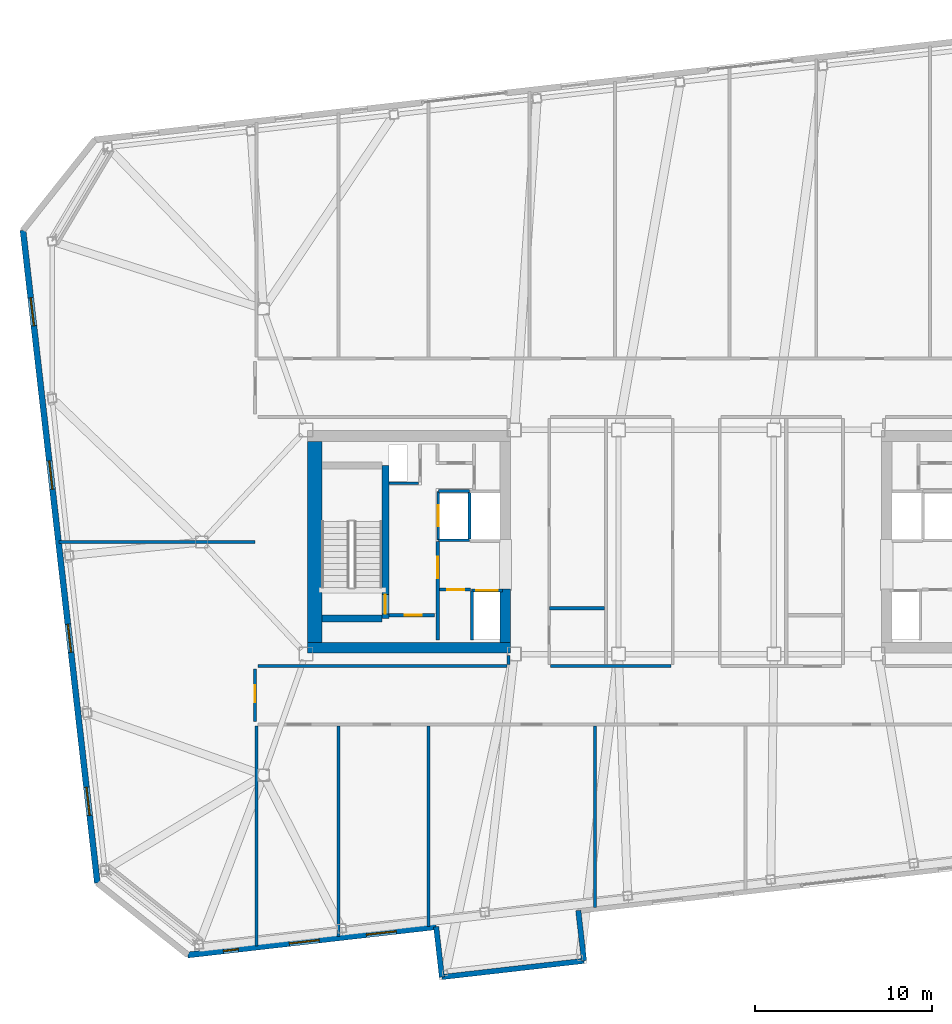
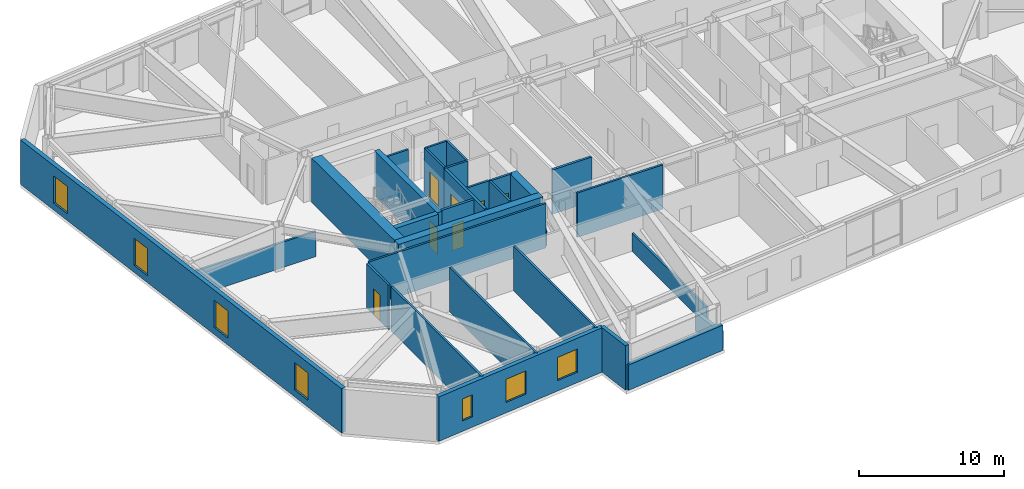
# One storey, part 11 of 18: 30 walls, 7 doors, 7 windows, 14 openings.
"""IFC4 building model written with IfcOpenShell, lengths in metres."""

from ifc_helpers import new_model, si_unit, direction, frame, frame_2d, origin, place, context, subcontext, project, spatial, rectangle, extrude, material, layer, layer_set, type_object, element, fill, save


model = new_model("IFC4")

# Units and contexts
model_context = context("Model", 3, precision=1e-05, world=origin(), true_north=direction((0.0, 1.0)))
body_context = subcontext(model_context, "Body", "Model", "MODEL_VIEW")
ifc_project = project(units=[si_unit("LENGTHUNIT", "METRE"), si_unit("AREAUNIT", "SQUARE_METRE"), si_unit("VOLUMEUNIT", "CUBIC_METRE"), si_unit("PLANEANGLEUNIT", "RADIAN"), si_unit("MASSUNIT", "GRAM", prefix="KILO")], contexts=[model_context])

# Site, building, storey
site_placement = place(None, origin())
site = spatial("IfcSite", under=ifc_project, at=site_placement, CompositionType="ELEMENT")
building_placement = place(site_placement, origin())
building = spatial("IfcBuilding", under=site, at=building_placement, Name="Tavrogorsk Clinical Tower", CompositionType="ELEMENT")
storey_placement = place(building_placement, frame((0.0, 0.0, 222.199951171875)))
storey = spatial("IfcBuildingStorey", under=building, at=storey_placement, Name="L51", CompositionType="ELEMENT", Elevation=222.199951171875)

# Wall, opening, door
ifc_material_1 = material(Name="Concrete B60", Category="concrete")
ifc_layer_1 = layer(ifc_material_1, 0.199951171875)
ifc_layer_set_1 = layer_set([ifc_layer_1], Name="Concrete B60")
wall_type_1 = type_object("IfcWallType", Name="CoreFireWall_200", PredefinedType="SOLIDWALL", material=ifc_layer_set_1)
wall_1_placement = place(storey_placement, frame((-17.3798828125, -4.139892578125, 0.0), z_axis=(0.0, 0.0, 1.0), x_axis=(1.0, 0.0, 0.0)))
wall_1 = element("IfcWall", 1, at=wall_1_placement, inside=storey, type_object=wall_type_1, Name="L51 Core West South Core Room Fire Wall", PredefinedType="SOLIDWALL", context=body_context, shape_type="SweptSolid", body=[
    extrude(rectangle(XDim=2.554931640625, YDim=0.199951171875, at=frame_2d((1.27734375, 0.0))), origin(), (0.0, 0.0, 1.0), 3.739990234375),
])
opening_1_placement = place(wall_1_placement, frame((0.8798828125, 0.0, 0.0)))
opening_1 = element("IfcOpeningElement", 2, at=opening_1_placement, cuts=wall_1, Name="Opening ID-02", PredefinedType="OPENING", context=body_context, shape_type="SweptSolid", body=[
    extrude(rectangle(XDim=0.949951171875, YDim=2.199951171875, at=frame_2d((0.47509765625, 1.10009765625))), frame((0.0, 0.10986328125, 0.0), z_axis=(0.0, -1.0, 0.0), x_axis=(1.0, 0.0, 0.0)), (0.0, 0.0, 1.0), 0.219970703125),
])
ifc_material_2 = material(Name="Laminated timber leaf on aluminium frame", Category="wood")
door_type_1 = type_object("IfcDoorType", Name="InteriorDoor_ID02_950", OperationType="NOTDEFINED", PredefinedType="DOOR", material=ifc_material_2)
door_1_placement = place(opening_1_placement, origin())
door_1 = element("IfcDoor", 3, at=door_1_placement, inside=storey, type_object=door_type_1, Name="L51 Core West South Core Room Door", OperationType="SINGLE_SWING_RIGHT", OverallHeight=2.199951171875, OverallWidth=0.949951171875, PredefinedType="DOOR", context=body_context, shape_type="SweptSolid", body=[
    extrude(rectangle(XDim=0.949951171875, YDim=2.199951171875, at=frame_2d((0.47509765625, 1.10009765625))), frame((0.0, 0.02490234375, 0.0), z_axis=(0.0, -1.0, 0.0), x_axis=(1.0, 0.0, 0.0)), (0.0, 0.0, 1.0), 0.050048828125),
])
fill(opening_1, door_1)

wall_2_placement = place(storey_placement, frame((-14.639892578125, -5.56005859375, 0.0), z_axis=(0.0, 0.0, 1.0), x_axis=(0.0, 1.0, 0.0)))
wall_2 = element("IfcWall", 4, at=wall_2_placement, inside=storey, type_object=wall_type_1, Name="L51 Core West Firefighting Lobby Fire Wall", PredefinedType="SOLIDWALL", context=body_context, shape_type="SweptSolid", body=[
    extrude(rectangle(XDim=5.60009765625, YDim=0.199951171875, at=frame_2d((2.800048828125, 0.0))), origin(), (0.0, 0.0, 1.0), 3.739990234375),
])
opening_2_placement = place(wall_2_placement, frame((3.510009765625, 0.0, 0.0)))
opening_2 = element("IfcOpeningElement", 5, at=opening_2_placement, cuts=wall_2, Name="Opening FD-01", PredefinedType="OPENING", context=body_context, shape_type="SweptSolid", body=[
    extrude(rectangle(XDim=1.199951171875, YDim=2.199951171875, at=frame_2d((0.60009765625, 1.10009765625))), frame((0.0, 0.10986328125, 0.0), z_axis=(0.0, -1.0, 0.0), x_axis=(1.0, 0.0, 0.0)), (0.0, 0.0, 1.0), 0.219970703125),
])
ifc_material_3 = material(Name="Galvanised steel fire-rated door assembly", Category="steel")
door_type_2 = type_object("IfcDoorType", Name="FireDoor_FD01_1200", OperationType="NOTDEFINED", PredefinedType="DOOR", material=ifc_material_3)
door_2_placement = place(opening_2_placement, origin())
door_2 = element("IfcDoor", 6, at=door_2_placement, inside=storey, type_object=door_type_2, Name="L51 Core West Firefighting Lobby Entry Door", OperationType="SINGLE_SWING_RIGHT", OverallHeight=2.199951171875, OverallWidth=1.199951171875, PredefinedType="DOOR", context=body_context, shape_type="SweptSolid", body=[
    extrude(rectangle(XDim=1.199951171875, YDim=2.199951171875, at=frame_2d((0.60009765625, 1.10009765625))), frame((0.0, 0.02490234375, 0.0), z_axis=(0.0, -1.0, 0.0), x_axis=(1.0, 0.0, 0.0)), (0.0, 0.0, 1.0), 0.050048828125),
])
fill(opening_2, door_2)

ifc_material_4 = material(Name="Lightweight concrete blockwork B15", Category="masonry")
ifc_layer_2 = layer(ifc_material_4, 0.159912109375)
ifc_layer_set_2 = layer_set([ifc_layer_2], Name="Lightweight concrete blockwork B15")
wall_type_2 = type_object("IfcWallType", Name="PartitionWall_160", PredefinedType="PARTITIONING", material=ifc_layer_set_2)
wall_3_placement = place(storey_placement, frame((-14.534912109375, -2.699951171875, 0.0), z_axis=(0.0, 0.0, 1.0), x_axis=(1.0, 0.0, 0.0)))
wall_3 = element("IfcWall", 7, at=wall_3_placement, inside=storey, type_object=wall_type_2, Name="L51 Core West Freed Low-Bank North Partition", PredefinedType="PARTITIONING", context=body_context, shape_type="SweptSolid", body=[
    extrude(rectangle(XDim=1.760009765625, YDim=0.159912109375, at=frame_2d((0.8798828125, 0.0))), origin(), (0.0, 0.0, 1.0), 3.739990234375),
])
opening_3_placement = place(wall_3_placement, frame((0.449951171875, 0.0, 0.0)))
opening_3 = element("IfcOpeningElement", 8, at=opening_3_placement, cuts=wall_3, Name="Opening ID-02", PredefinedType="OPENING", context=body_context, shape_type="SweptSolid", body=[
    extrude(rectangle(XDim=0.949951171875, YDim=2.199951171875, at=frame_2d((0.47509765625, 1.10009765625))), frame((0.0, 0.08984375, 0.0), z_axis=(0.0, -1.0, 0.0), x_axis=(1.0, 0.0, 0.0)), (0.0, 0.0, 1.0), 0.179931640625),
])
door_3_placement = place(opening_3_placement, origin())
door_3 = element("IfcDoor", 9, at=door_3_placement, inside=storey, type_object=door_type_1, Name="L51 Core West Biomedical Alcove Door", OperationType="SINGLE_SWING_LEFT", OverallHeight=2.199951171875, OverallWidth=0.949951171875, PredefinedType="DOOR", context=body_context, shape_type="SweptSolid", body=[
    extrude(rectangle(XDim=0.949951171875, YDim=2.199951171875, at=frame_2d((0.47509765625, 1.10009765625))), frame((0.0, 0.02490234375, 0.0), z_axis=(0.0, -1.0, 0.0), x_axis=(1.0, 0.0, 0.0)), (0.0, 0.0, 1.0), 0.050048828125),
])
fill(opening_3, door_3)

wall_4_placement = place(storey_placement, frame((-24.97998046875, -10.1650390625, 0.0), z_axis=(0.0, 0.0, 1.0), x_axis=(0.0, 1.0, 0.0)))
wall_4 = element("IfcWall", 10, at=wall_4_placement, inside=storey, type_object=wall_type_2, Name="L51 Corridor Partition 01", PredefinedType="PARTITIONING", context=body_context, shape_type="SweptSolid", body=[
    extrude(rectangle(XDim=2.97998046875, YDim=0.159912109375, at=frame_2d((1.489990234375, 0.0))), origin(), (0.0, 0.0, 1.0), 3.739990234375),
])
opening_4_placement = place(wall_4_placement, frame((1.10009765625, 0.0, 0.0)))
opening_4 = element("IfcOpeningElement", 11, at=opening_4_placement, cuts=wall_4, Name="Opening ID-02", PredefinedType="OPENING", context=body_context, shape_type="SweptSolid", body=[
    extrude(rectangle(XDim=0.949951171875, YDim=2.199951171875, at=frame_2d((0.47509765625, 1.10009765625))), frame((0.0, 0.08984375, 0.0), z_axis=(0.0, -1.0, 0.0), x_axis=(1.0, 0.0, 0.0)), (0.0, 0.0, 1.0), 0.179931640625),
])
door_4_placement = place(opening_4_placement, origin())
door_4 = element("IfcDoor", 12, at=door_4_placement, inside=storey, type_object=door_type_1, Name="L51 W Solarium Day Room & Lounge 1 Door", OperationType="SINGLE_SWING_LEFT", OverallHeight=2.199951171875, OverallWidth=0.949951171875, PredefinedType="DOOR", context=body_context, shape_type="SweptSolid", body=[
    extrude(rectangle(XDim=0.949951171875, YDim=2.199951171875, at=frame_2d((0.47509765625, 1.10009765625))), frame((0.0, 0.02490234375, 0.0), z_axis=(0.0, -1.0, 0.0), x_axis=(1.0, 0.0, 0.0)), (0.0, 0.0, 1.0), 0.050048828125),
])
fill(opening_4, door_4)

# Walls
wall_5_placement = place(storey_placement, frame((-24.81494140625, -7.02001953125, 0.0), z_axis=(0.0, 0.0, 1.0), x_axis=(1.0, 0.0, 0.0)))
element("IfcWall", 13, at=wall_5_placement, inside=storey, type_object=wall_type_2, Name="L51 Corridor Partition 02", PredefinedType="PARTITIONING", context=body_context, shape_type="SweptSolid", body=[
    extrude(rectangle(XDim=14.099853515625, YDim=0.159912109375, at=frame_2d((7.0498046875, 0.0))), origin(), (0.0, 0.0, 1.0), 3.739990234375),
])
wall_6_placement = place(storey_placement, frame((-10.6298828125, -6.93505859375, 0.0), z_axis=(0.0, 0.0, 1.0), x_axis=(0.0, 1.0, 0.0)))
element("IfcWall", 14, at=wall_6_placement, inside=storey, type_object=wall_type_2, Name="L51 Corridor Partition 03", PredefinedType="PARTITIONING", context=body_context, shape_type="SweptSolid", body=[
    extrude(rectangle(XDim=0.51513671875, YDim=0.159912109375, at=frame_2d((0.257568359375, 0.0))), origin(), (0.0, 0.0, 1.0), 1.53515625),
])
wall_7_placement = place(storey_placement, frame((-8.235107421875, -7.02001953125, 0.0), z_axis=(0.0, 0.0, 1.0), x_axis=(1.0, 0.0, 0.0)))
element("IfcWall", 15, at=wall_7_placement, inside=storey, type_object=wall_type_2, Name="L51 Corridor Partition 22", PredefinedType="PARTITIONING", context=body_context, shape_type="SweptSolid", body=[
    extrude(rectangle(XDim=6.820068359375, YDim=0.159912109375, at=frame_2d((3.41015625, 0.0))), origin(), (0.0, 0.0, 1.0), 3.739990234375),
])
wall_8_placement = place(storey_placement, frame((-24.89990234375, -22.873291015625, 0.0), z_axis=(0.0, 0.0, 1.0), x_axis=(0.0, 1.0, 0.0)))
element("IfcWall", 16, at=wall_8_placement, inside=storey, type_object=wall_type_2, Name="L51 SW Wing Closure Partition", PredefinedType="PARTITIONING", context=body_context, shape_type="SweptSolid", body=[
    extrude(rectangle(XDim=12.458251953125, YDim=0.159912109375, at=frame_2d((6.22900390625, 0.0))), origin(), (0.0, 0.0, 1.0), 3.739990234375),
])
wall_9_placement = place(storey_placement, frame((-20.25, -22.343505859375, 0.0), z_axis=(0.0, 0.0, 1.0), x_axis=(0.0, 1.0, 0.0)))
element("IfcWall", 17, at=wall_9_placement, inside=storey, type_object=wall_type_2, Name="L51 South Room Partition 1", PredefinedType="PARTITIONING", context=body_context, shape_type="SweptSolid", body=[
    extrude(rectangle(XDim=11.928466796875, YDim=0.159912109375, at=frame_2d((5.96435546875, 0.0))), origin(), (0.0, 0.0, 1.0), 3.739990234375),
])
wall_10_placement = place(storey_placement, frame((-15.159912109375, -21.763671875, 0.0), z_axis=(0.0, 0.0, 1.0), x_axis=(0.0, 1.0, 0.0)))
element("IfcWall", 18, at=wall_10_placement, inside=storey, type_object=wall_type_2, Name="L51 South Room Partition 2", PredefinedType="PARTITIONING", context=body_context, shape_type="SweptSolid", body=[
    extrude(rectangle(XDim=11.3486328125, YDim=0.159912109375, at=frame_2d((5.67431640625, 0.0))), origin(), (0.0, 0.0, 1.0), 3.739990234375),
])
wall_11_placement = place(storey_placement, frame((-5.72998046875, -20.689208984375, 0.0), z_axis=(0.0, 0.0, 1.0), x_axis=(0.0, 1.0, 0.0)))
element("IfcWall", 19, at=wall_11_placement, inside=storey, type_object=wall_type_2, Name="L51 South Sub-Partition 3", PredefinedType="PARTITIONING", context=body_context, shape_type="SweptSolid", body=[
    extrude(rectangle(XDim=10.274169921875, YDim=0.159912109375, at=frame_2d((5.13720703125, 0.0))), origin(), (0.0, 0.0, 1.0), 1.53515625),
])
wall_12_placement = place(storey_placement, frame((-36.0869140625, 0.0, 0.0), z_axis=(0.0, 0.0, 1.0), x_axis=(1.0, 0.0, 0.0)))
element("IfcWall", 20, at=wall_12_placement, inside=storey, type_object=wall_type_2, Name="L51 W Wing Divider 1", PredefinedType="PARTITIONING", context=body_context, shape_type="SweptSolid", body=[
    extrude(rectangle(XDim=11.10693359375, YDim=0.159912109375, at=frame_2d((5.553466796875, 0.0))), origin(), (0.0, 0.0, 1.0), 2.135009765625),
])
ifc_material_5 = material(Name="Lightweight concrete blockwork B20", Category="masonry")
ifc_layer_3 = layer(ifc_material_5, 0.179931640625)
ifc_layer_set_3 = layer_set([ifc_layer_3], Name="Lightweight concrete blockwork B20")
wall_type_3 = type_object("IfcWallType", Name="PartitionWall_180", PredefinedType="PARTITIONING", material=ifc_layer_set_3)
wall_13_placement = place(storey_placement, frame((-8.31494140625, -3.75, 0.0), z_axis=(0.0, 0.0, 1.0), x_axis=(1.0, 0.0, 0.0)))
element("IfcWall", 21, at=wall_13_placement, inside=storey, type_object=wall_type_3, Name="L51 Central Spine Partition 3", PredefinedType="PARTITIONING", context=body_context, shape_type="SweptSolid", body=[
    extrude(rectangle(XDim=3.119873046875, YDim=0.179931640625, at=frame_2d((1.56005859375, 0.0))), origin(), (0.0, 0.0, 1.0), 3.739990234375),
])

# Wall, openings, windows
ifc_material_6 = material(Name="Precast concrete B45 with limestone cladding", Category="masonry")
ifc_layer_4 = layer(ifc_material_6, 0.340087890625)
ifc_layer_set_4 = layer_set([ifc_layer_4], Name="Precast concrete B45 with limestone cladding")
wall_type_4 = type_object("IfcWallType", Name="PrecastLimestoneWall_340", PredefinedType="STANDARD", material=ifc_layer_set_4)
wall_14_placement = place(storey_placement, frame((-28.78271484375, -23.38623046875, 0.0), z_axis=(0.0, 0.0, 1.0), x_axis=(0.993572262951, 0.113199639106, 0.0)))
wall_14 = element("IfcWall", 22, at=wall_14_placement, inside=storey, type_object=wall_type_4, Name="L51 S Limestone Facade Wall 1", PredefinedType="STANDARD", context=body_context, shape_type="SweptSolid", body=[
    extrude(rectangle(XDim=14.150390625, YDim=0.340087890625, at=frame_2d((7.0751953125, 0.0))), origin(), (0.0, 0.0, 1.0), 3.739990234375),
])
opening_5_placement = place(wall_14_placement, frame((2.030029296875, 0.0, 0.8798828125)))
opening_5 = element("IfcOpeningElement", 23, at=opening_5_placement, cuts=wall_14, Name="Opening WN-06", PredefinedType="OPENING", context=body_context, shape_type="SweptSolid", body=[
    extrude(rectangle(XDim=0.85009765625, YDim=1.85009765625, at=frame_2d((0.425048828125, 0.925048828125))), frame((0.0, 0.179931640625, 0.0), z_axis=(0.0, -1.0, 0.0), x_axis=(1.0, 0.0, 0.0)), (0.0, 0.0, 1.0), 0.360107421875),
])
opening_6_placement = place(wall_14_placement, frame((5.778564453125, 0.0, 0.8798828125)))
opening_6 = element("IfcOpeningElement", 24, at=opening_6_placement, cuts=wall_14, Name="Opening WN-15", PredefinedType="OPENING", context=body_context, shape_type="SweptSolid", body=[
    extrude(rectangle(XDim=1.699951171875, YDim=1.949951171875, at=frame_2d((0.85009765625, 0.97509765625))), frame((0.0, 0.179931640625, 0.0), z_axis=(0.0, -1.0, 0.0), x_axis=(1.0, 0.0, 0.0)), (0.0, 0.0, 1.0), 0.360107421875),
])
opening_7_placement = place(wall_14_placement, frame((10.1787109375, 0.0, 0.8798828125)))
opening_7 = element("IfcOpeningElement", 25, at=opening_7_placement, cuts=wall_14, Name="Opening WN-15", PredefinedType="OPENING", context=body_context, shape_type="SweptSolid", body=[
    extrude(rectangle(XDim=1.699951171875, YDim=1.949951171875, at=frame_2d((0.85009765625, 0.97509765625))), frame((0.0, 0.179931640625, 0.0), z_axis=(0.0, -1.0, 0.0), x_axis=(1.0, 0.0, 0.0)), (0.0, 0.0, 1.0), 0.360107421875),
])
ifc_material_7 = material(Name="Thermally broken aluminium frame and triple IGU", Category="aluminium")
window_type_1 = type_object("IfcWindowType", Name="MullionSubWin_850x1850", PartitioningType="SINGLE_PANEL", PredefinedType="WINDOW", material=ifc_material_7)
window_1_placement = place(opening_5_placement, origin())
window_1 = element("IfcWindow", 26, at=window_1_placement, inside=storey, type_object=window_type_1, Name="L51 S Mullion Split Window 01A", OverallHeight=1.85009765625, OverallWidth=0.85009765625, PartitioningType="SINGLE_PANEL", PredefinedType="WINDOW", context=body_context, shape_type="SweptSolid", body=[
    extrude(rectangle(XDim=0.85009765625, YDim=1.85009765625, at=frame_2d((0.425048828125, 0.925048828125))), frame((0.0, 0.030029296875, 0.0), z_axis=(0.0, -1.0, 0.0), x_axis=(1.0, 0.0, 0.0)), (0.0, 0.0, 1.0), 0.06005859375),
])
fill(opening_5, window_1)
ifc_material_8 = material(Name="Thermally broken aluminium frame and triple IGU", Category="aluminium")
window_type_2 = type_object("IfcWindowType", Name="OfficeChicagoWin_1700x1950", PartitioningType="SINGLE_PANEL", PredefinedType="WINDOW", material=ifc_material_8)
window_2_placement = place(opening_6_placement, origin())
window_2 = element("IfcWindow", 27, at=window_2_placement, inside=storey, type_object=window_type_2, Name="L51 S Chicago Window 02", OverallHeight=1.949951171875, OverallWidth=1.699951171875, PartitioningType="SINGLE_PANEL", PredefinedType="WINDOW", context=body_context, shape_type="SweptSolid", body=[
    extrude(rectangle(XDim=1.699951171875, YDim=1.949951171875, at=frame_2d((0.85009765625, 0.97509765625))), frame((0.0, 0.030029296875, 0.0), z_axis=(0.0, -1.0, 0.0), x_axis=(1.0, 0.0, 0.0)), (0.0, 0.0, 1.0), 0.06005859375),
])
fill(opening_6, window_2)
window_3_placement = place(opening_7_placement, origin())
window_3 = element("IfcWindow", 28, at=window_3_placement, inside=storey, type_object=window_type_2, Name="L51 S Chicago Window 03", OverallHeight=1.949951171875, OverallWidth=1.699951171875, PartitioningType="SINGLE_PANEL", PredefinedType="WINDOW", context=body_context, shape_type="SweptSolid", body=[
    extrude(rectangle(XDim=1.699951171875, YDim=1.949951171875, at=frame_2d((0.85009765625, 0.97509765625))), frame((0.0, 0.030029296875, 0.0), z_axis=(0.0, -1.0, 0.0), x_axis=(1.0, 0.0, 0.0)), (0.0, 0.0, 1.0), 0.06005859375),
])
fill(opening_7, window_3)

wall_15_placement = place(storey_placement, frame((-38.1181640625, 17.65087890625, 0.0), z_axis=(0.0, 0.0, 1.0), x_axis=(0.11320360501, -0.9935718111, 0.0)))
wall_15 = element("IfcWall", 29, at=wall_15_placement, inside=storey, type_object=wall_type_4, Name="L51 W Pleated Limestone Wing Wall", PredefinedType="STANDARD", context=body_context, shape_type="SweptSolid", body=[
    extrude(rectangle(XDim=37.199951171875, YDim=0.340087890625, at=frame_2d((18.60009765625, 0.0))), origin(), (0.0, 0.0, 1.0), 3.739990234375),
])
opening_8_placement = place(wall_15_placement, frame((3.85009765625, 0.0, 0.580078125)))
opening_8 = element("IfcOpeningElement", 30, at=opening_8_placement, cuts=wall_15, Name="Opening WN-07", PredefinedType="OPENING", context=body_context, shape_type="SweptSolid", body=[
    extrude(rectangle(XDim=1.60009765625, YDim=2.300048828125, at=frame_2d((0.800048828125, 1.14990234375))), frame((0.0, 0.179931640625, 0.0), z_axis=(0.0, -1.0, 0.0), x_axis=(1.0, 0.0, 0.0)), (0.0, 0.0, 1.0), 0.360107421875),
])
opening_9_placement = place(wall_15_placement, frame((13.14990234375, 0.0, 0.580078125)))
opening_9 = element("IfcOpeningElement", 31, at=opening_9_placement, cuts=wall_15, Name="Opening WN-07", PredefinedType="OPENING", context=body_context, shape_type="SweptSolid", body=[
    extrude(rectangle(XDim=1.60009765625, YDim=2.300048828125, at=frame_2d((0.800048828125, 1.14990234375))), frame((0.0, 0.179931640625, 0.0), z_axis=(0.0, -1.0, 0.0), x_axis=(1.0, 0.0, 0.0)), (0.0, 0.0, 1.0), 0.360107421875),
])
opening_10_placement = place(wall_15_placement, frame((22.449951171875, 0.0, 0.580078125)))
opening_10 = element("IfcOpeningElement", 32, at=opening_10_placement, cuts=wall_15, Name="Opening WN-07", PredefinedType="OPENING", context=body_context, shape_type="SweptSolid", body=[
    extrude(rectangle(XDim=1.60009765625, YDim=2.300048828125, at=frame_2d((0.800048828125, 1.14990234375))), frame((0.0, 0.179931640625, 0.0), z_axis=(0.0, -1.0, 0.0), x_axis=(1.0, 0.0, 0.0)), (0.0, 0.0, 1.0), 0.360107421875),
])
opening_11_placement = place(wall_15_placement, frame((31.75, 0.0, 0.580078125)))
opening_11 = element("IfcOpeningElement", 33, at=opening_11_placement, cuts=wall_15, Name="Opening WN-07", PredefinedType="OPENING", context=body_context, shape_type="SweptSolid", body=[
    extrude(rectangle(XDim=1.60009765625, YDim=2.300048828125, at=frame_2d((0.800048828125, 1.14990234375))), frame((0.0, 0.179931640625, 0.0), z_axis=(0.0, -1.0, 0.0), x_axis=(1.0, 0.0, 0.0)), (0.0, 0.0, 1.0), 0.360107421875),
])
ifc_material_9 = material(Name="Thermally broken aluminium frame and triple IGU", Category="aluminium")
window_type_3 = type_object("IfcWindowType", Name="PleatSlotWin_1600x2300", PartitioningType="SINGLE_PANEL", PredefinedType="WINDOW", material=ifc_material_9)
window_4_placement = place(opening_8_placement, origin())
window_4 = element("IfcWindow", 34, at=window_4_placement, inside=storey, type_object=window_type_3, Name="L51 W Pleat Slot Window 1", OverallHeight=2.300048828125, OverallWidth=1.60009765625, PartitioningType="SINGLE_PANEL", PredefinedType="WINDOW", context=body_context, shape_type="SweptSolid", body=[
    extrude(rectangle(XDim=1.60009765625, YDim=2.300048828125, at=frame_2d((0.800048828125, 1.14990234375))), frame((0.0, 0.030029296875, 0.0), z_axis=(0.0, -1.0, 0.0), x_axis=(1.0, 0.0, 0.0)), (0.0, 0.0, 1.0), 0.06005859375),
])
fill(opening_8, window_4)
window_5_placement = place(opening_9_placement, origin())
window_5 = element("IfcWindow", 35, at=window_5_placement, inside=storey, type_object=window_type_3, Name="L51 W Pleat Slot Window 2", OverallHeight=2.300048828125, OverallWidth=1.60009765625, PartitioningType="SINGLE_PANEL", PredefinedType="WINDOW", context=body_context, shape_type="SweptSolid", body=[
    extrude(rectangle(XDim=1.60009765625, YDim=2.300048828125, at=frame_2d((0.800048828125, 1.14990234375))), frame((0.0, 0.030029296875, 0.0), z_axis=(0.0, -1.0, 0.0), x_axis=(1.0, 0.0, 0.0)), (0.0, 0.0, 1.0), 0.06005859375),
])
fill(opening_9, window_5)
window_6_placement = place(opening_10_placement, origin())
window_6 = element("IfcWindow", 36, at=window_6_placement, inside=storey, type_object=window_type_3, Name="L51 W Pleat Slot Window 3", OverallHeight=2.300048828125, OverallWidth=1.60009765625, PartitioningType="SINGLE_PANEL", PredefinedType="WINDOW", context=body_context, shape_type="SweptSolid", body=[
    extrude(rectangle(XDim=1.60009765625, YDim=2.300048828125, at=frame_2d((0.800048828125, 1.14990234375))), frame((0.0, 0.030029296875, 0.0), z_axis=(0.0, -1.0, 0.0), x_axis=(1.0, 0.0, 0.0)), (0.0, 0.0, 1.0), 0.06005859375),
])
fill(opening_10, window_6)
window_7_placement = place(opening_11_placement, origin())
window_7 = element("IfcWindow", 37, at=window_7_placement, inside=storey, type_object=window_type_3, Name="L51 W Pleat Slot Window 4", OverallHeight=2.300048828125, OverallWidth=1.60009765625, PartitioningType="SINGLE_PANEL", PredefinedType="WINDOW", context=body_context, shape_type="SweptSolid", body=[
    extrude(rectangle(XDim=1.60009765625, YDim=2.300048828125, at=frame_2d((0.800048828125, 1.14990234375))), frame((0.0, 0.030029296875, 0.0), z_axis=(0.0, -1.0, 0.0), x_axis=(1.0, 0.0, 0.0)), (0.0, 0.0, 1.0), 0.06005859375),
])
fill(opening_11, window_7)

# Wall
wall_16_placement = place(storey_placement, frame((-14.398681640625, -24.635986328125, 0.0), z_axis=(0.0, 0.0, 1.0), x_axis=(0.993571087422, 0.113209956448, 0.0)))
element("IfcWall", 38, at=wall_16_placement, inside=storey, type_object=wall_type_4, Name="L51 Day-Room Limestone Front DRB-07", PredefinedType="STANDARD", context=body_context, shape_type="SweptSolid", body=[
    extrude(rectangle(XDim=8.099853515625, YDim=0.300048828125, at=frame_2d((4.0498046875, 0.0))), origin(), (0.0, 0.0, 1.0), 2.135009765625),
])

# Wall, opening, door
ifc_material_10 = material(Name="Lightweight concrete blockwork B25", Category="masonry")
ifc_layer_5 = layer(ifc_material_10, 0.159912109375)
ifc_layer_set_5 = layer_set([ifc_layer_5], Name="Lightweight concrete blockwork B25")
wall_type_5 = type_object("IfcWallType", Name="ShaftWall_160", PredefinedType="PARTITIONING", material=ifc_layer_set_5)
wall_17_placement = place(storey_placement, frame((-14.60009765625, 0.1201171875, 0.0), z_axis=(0.0, 0.0, 1.0), x_axis=(0.0, 1.0, 0.0)))
wall_17 = element("IfcWall", 39, at=wall_17_placement, inside=storey, type_object=wall_type_5, Name="L51 FFL-W Firefighting Lift Front Wall", PredefinedType="PARTITIONING", context=body_context, shape_type="SweptSolid", body=[
    extrude(rectangle(XDim=2.739990234375, YDim=0.159912109375, at=frame_2d((1.3701171875, 0.0))), origin(), (0.0, 0.0, 1.0), 3.739990234375),
])
opening_12_placement = place(wall_17_placement, frame((0.77001953125, 0.0, 0.0)))
opening_12 = element("IfcOpeningElement", 40, at=opening_12_placement, cuts=wall_17, Name="Opening LD", PredefinedType="OPENING", context=body_context, shape_type="SweptSolid", body=[
    extrude(rectangle(XDim=1.199951171875, YDim=2.199951171875, at=frame_2d((0.60009765625, 1.10009765625))), frame((0.0, 0.08984375, 0.0), z_axis=(0.0, -1.0, 0.0), x_axis=(1.0, 0.0, 0.0)), (0.0, 0.0, 1.0), 0.179931640625),
])
ifc_material_11 = material(Name="Brushed stainless steel AISI 304 sliding doors", Category="steel")
door_type_3 = type_object("IfcDoorType", Name="LiftLandingDoor_LD_1200", OperationType="SLIDING_TO_LEFT", PredefinedType="DOOR", material=ifc_material_11)
door_5_placement = place(opening_12_placement, origin())
door_5 = element("IfcDoor", 41, at=door_5_placement, inside=storey, type_object=door_type_3, Name="L51 FFL-W Sliding Lift Landing Door", OperationType="SLIDING_TO_LEFT", OverallHeight=2.199951171875, OverallWidth=1.199951171875, PredefinedType="DOOR", context=body_context, shape_type="SweptSolid", body=[
    extrude(rectangle(XDim=1.199951171875, YDim=2.199951171875, at=frame_2d((0.60009765625, 1.10009765625))), frame((0.0, 0.02490234375, 0.0), z_axis=(0.0, -1.0, 0.0), x_axis=(1.0, 0.0, 0.0)), (0.0, 0.0, 1.0), 0.050048828125),
])
fill(opening_12, door_5)

# Walls
for number, where, z_axis, x_axis, name in (
    (42, (-14.60009765625, 0.10009765625, 0.0), (0.0, 0.0, 1.0), (1.0, 0.0, 0.0), "L51 FFL-W Shaft South Wall"),
    (43, (-14.60009765625, 2.8798828125, 0.0), (0.0, 0.0, 1.0), (1.0, 0.0, 0.0), "L51 FFL-W Shaft North Wall"),
):
    element("IfcWall", number, at=place(storey_placement, frame(where, z_axis=z_axis, x_axis=x_axis)), inside=storey, type_object=wall_type_5, Name=name, PredefinedType="PARTITIONING", context=body_context, shape_type="SweptSolid", body=[
        extrude(rectangle(XDim=1.760009765625, YDim=0.159912109375, at=frame_2d((0.8798828125, 0.0))), origin(), (0.0, 0.0, 1.0), 3.739990234375),
    ])
wall_18_placement = place(storey_placement, frame((-12.840087890625, 0.179931640625, 0.0), z_axis=(0.0, 0.0, 1.0), x_axis=(0.0, 1.0, 0.0)))
element("IfcWall", 44, at=wall_18_placement, inside=storey, type_object=wall_type_5, Name="L51 FFL-W Shaft Back Wall", PredefinedType="PARTITIONING", context=body_context, shape_type="SweptSolid", body=[
    extrude(rectangle(XDim=2.6201171875, YDim=0.159912109375, at=frame_2d((1.31005859375, 0.0))), origin(), (0.0, 0.0, 1.0), 3.739990234375),
])

# Wall, opening, door
wall_19_placement = place(storey_placement, frame((-12.72998046875, -2.75, 0.0), z_axis=(0.0, 0.0, 1.0), x_axis=(1.0, 0.0, 0.0)))
wall_19 = element("IfcWall", 45, at=wall_19_placement, inside=storey, type_object=wall_type_5, Name="L51 LP-M1 Lift Shaft Portal Wall", PredefinedType="PARTITIONING", context=body_context, shape_type="SweptSolid", body=[
    extrude(rectangle(XDim=1.760009765625, YDim=0.159912109375, at=frame_2d((0.8798828125, 0.0))), origin(), (0.0, 0.0, 1.0), 3.739990234375),
])
opening_13_placement = place(wall_19_placement, frame((0.280029296875, 0.0, 0.0)))
opening_13 = element("IfcOpeningElement", 46, at=opening_13_placement, cuts=wall_19, Name="Opening LD", PredefinedType="OPENING", context=body_context, shape_type="SweptSolid", body=[
    extrude(rectangle(XDim=1.199951171875, YDim=2.199951171875, at=frame_2d((0.60009765625, 1.10009765625))), frame((0.0, 0.08984375, 0.0), z_axis=(0.0, -1.0, 0.0), x_axis=(1.0, 0.0, 0.0)), (0.0, 0.0, 1.0), 0.179931640625),
])
door_6_placement = place(opening_13_placement, origin())
door_6 = element("IfcDoor", 47, at=door_6_placement, inside=storey, type_object=door_type_3, Name="L51 LP-M1 Sliding Lift Landing Door", OperationType="SLIDING_TO_LEFT", OverallHeight=2.199951171875, OverallWidth=1.199951171875, PredefinedType="DOOR", context=body_context, shape_type="SweptSolid", body=[
    extrude(rectangle(XDim=1.199951171875, YDim=2.199951171875, at=frame_2d((0.60009765625, 1.10009765625))), frame((0.0, 0.02490234375, 0.0), z_axis=(0.0, -1.0, 0.0), x_axis=(1.0, 0.0, 0.0)), (0.0, 0.0, 1.0), 0.050048828125),
])
fill(opening_13, door_6)

# Walls
wall_20_placement = place(storey_placement, frame((-17.3798828125, 3.320068359375, 0.0), z_axis=(0.0, 0.0, 1.0), x_axis=(1.0, 0.0, 0.0)))
element("IfcWall", 48, at=wall_20_placement, inside=storey, type_object=wall_type_5, Name="L51 Core West Riser South Wall", PredefinedType="PARTITIONING", context=body_context, shape_type="SweptSolid", body=[
    extrude(rectangle(XDim=1.65478515625, YDim=0.159912109375, at=frame_2d((0.827392578125, 0.0))), origin(), (0.0, 0.0, 1.0), 3.739990234375),
])
wall_21_placement = place(storey_placement, frame((-12.68994140625, -5.56005859375, 0.0), z_axis=(0.0, 0.0, 1.0), x_axis=(0.0, 1.0, 0.0)))
element("IfcWall", 49, at=wall_21_placement, inside=storey, type_object=wall_type_5, Name="L51 Core West Freed Low-Bank Shaft Divider", PredefinedType="PARTITIONING", context=body_context, shape_type="SweptSolid", body=[
    extrude(rectangle(XDim=2.775146484375, YDim=0.159912109375, at=frame_2d((1.3876953125, 0.0))), origin(), (0.0, 0.0, 1.0), 3.739990234375),
])

# Wall, opening, door
ifc_material_12 = material(Name="Concrete B80", Category="concrete")
ifc_layer_6 = layer(ifc_material_12, 0.39990234375)
ifc_layer_set_6 = layer_set([ifc_layer_6], Name="Concrete B80")
wall_type_6 = type_object("IfcWallType", Name="ShearWall_400", PredefinedType="SHEAR", material=ifc_layer_set_6)
wall_22_placement = place(storey_placement, frame((-17.60009765625, -4.324951171875, 0.0), z_axis=(0.0, 0.0, 1.0), x_axis=(0.0, 1.0, 0.0)))
wall_22 = element("IfcWall", 50, at=wall_22_placement, inside=storey, type_object=wall_type_6, Name="L51 Core West Stair Shaft Inner Shear Wall", PredefinedType="SHEAR", context=body_context, shape_type="SweptSolid", body=[
    extrude(rectangle(XDim=8.64990234375, YDim=0.39990234375, at=frame_2d((4.324951171875, 0.0))), origin(), (0.0, 0.0, 1.0), 3.739990234375),
])
opening_14_placement = place(wall_22_placement, frame((0.25, 0.0, 0.0)))
opening_14 = element("IfcOpeningElement", 51, at=opening_14_placement, cuts=wall_22, Name="Opening SD-01", PredefinedType="OPENING", context=body_context, shape_type="SweptSolid", body=[
    extrude(rectangle(XDim=1.10009765625, YDim=2.199951171875, at=frame_2d((0.550048828125, 1.10009765625))), frame((0.0, 0.2099609375, 0.0), z_axis=(0.0, -1.0, 0.0), x_axis=(1.0, 0.0, 0.0)), (0.0, 0.0, 1.0), 0.419921875),
])
ifc_material_13 = material(Name="Galvanised steel smoke-tight fire door assembly", Category="steel")
door_type_4 = type_object("IfcDoorType", Name="StairFireDoor_SD01_1100", OperationType="NOTDEFINED", PredefinedType="DOOR", material=ifc_material_13)
door_7_placement = place(opening_14_placement, origin())
door_7 = element("IfcDoor", 52, at=door_7_placement, inside=storey, type_object=door_type_4, Name="L51 ST-W Exit Stair Door", OperationType="SINGLE_SWING_RIGHT", OverallHeight=2.199951171875, OverallWidth=1.10009765625, PredefinedType="DOOR", context=body_context, shape_type="SweptSolid", body=[
    extrude(rectangle(XDim=1.10009765625, YDim=2.199951171875, at=frame_2d((0.550048828125, 1.10009765625))), frame((0.0, 0.02490234375, 0.0), z_axis=(0.0, -1.0, 0.0), x_axis=(1.0, 0.0, 0.0)), (0.0, 0.0, 1.0), 0.050048828125),
])
fill(opening_14, door_7)

# Walls
wall_23_placement = place(storey_placement, frame((-21.199951171875, -4.324951171875, 0.0), z_axis=(0.0, 0.0, 1.0), x_axis=(1.0, 0.0, 0.0)))
element("IfcWall", 53, at=wall_23_placement, inside=storey, type_object=wall_type_6, Name="L51 Core West Stair Shaft South Shear Wall", PredefinedType="SHEAR", context=body_context, shape_type="SweptSolid", body=[
    extrude(rectangle(XDim=3.39990234375, YDim=0.39990234375, at=frame_2d((1.699951171875, 0.0))), origin(), (0.0, 0.0, 1.0), 3.739990234375),
])
ifc_material_14 = material(Name="Concrete B80", Category="concrete")
ifc_layer_7 = layer(ifc_material_14, 0.60009765625)
ifc_layer_set_7 = layer_set([ifc_layer_7], Name="Concrete B80")
wall_type_7 = type_object("IfcWallType", Name="ShearWall_600", PredefinedType="SHEAR", material=ifc_layer_set_7)
wall_24_placement = place(storey_placement, frame((-22.0, -6.0, 0.0), z_axis=(0.0, 0.0, 1.0), x_axis=(1.0, 0.0, 0.0)))
element("IfcWall", 54, at=wall_24_placement, inside=storey, type_object=wall_type_7, Name="L51 Core West South Shear Wall", PredefinedType="SHEAR", context=body_context, shape_type="SweptSolid", body=[
    extrude(rectangle(XDim=11.5, YDim=0.60009765625, at=frame_2d((5.75, 0.0))), origin(), (0.0, 0.0, 1.0), 3.739990234375),
])
wall_25_placement = place(storey_placement, frame((-10.800048828125, -5.699951171875, 0.0), z_axis=(0.0, 0.0, 1.0), x_axis=(0.0, 1.0, 0.0)))
element("IfcWall", 55, at=wall_25_placement, inside=storey, type_object=wall_type_7, Name="L51 Core West Inner South Pier", PredefinedType="SHEAR", context=body_context, shape_type="SweptSolid", body=[
    extrude(rectangle(XDim=3.050048828125, YDim=0.60009765625, at=frame_2d((1.52490234375, 0.0))), origin(), (0.0, 0.0, 1.0), 3.739990234375),
])
ifc_material_15 = material(Name="Concrete B80", Category="concrete")
ifc_layer_8 = layer(ifc_material_15, 0.800048828125)
ifc_layer_set_8 = layer_set([ifc_layer_8], Name="Concrete B80")
wall_type_8 = type_object("IfcWallType", Name="ShearWall_800", PredefinedType="SHEAR", material=ifc_layer_set_8)
wall_26_placement = place(storey_placement, frame((-21.60009765625, -5.699951171875, 0.0), z_axis=(0.0, 0.0, 1.0), x_axis=(0.0, 1.0, 0.0)))
element("IfcWall", 56, at=wall_26_placement, inside=storey, type_object=wall_type_8, Name="L51 Core West End Shear Wall", PredefinedType="SHEAR", context=body_context, shape_type="SweptSolid", body=[
    extrude(rectangle(XDim=11.39990234375, YDim=0.800048828125, at=frame_2d((5.699951171875, 0.0))), origin(), (0.0, 0.0, 1.0), 3.739990234375),
])
ifc_material_16 = material(Name="Precast concrete B45 with mineral wool", Category="concrete")
ifc_layer_9 = layer(ifc_material_16, 0.300048828125)
ifc_layer_set_9 = layer_set([ifc_layer_9], Name="Precast concrete B45 with mineral wool")
wall_type_9 = type_object("IfcWallType", Name="SpandrelBackWall_300", PredefinedType="STANDARD", material=ifc_layer_set_9)
wall_27_placement = place(storey_placement, frame((-14.7236328125, -21.784423828125, 0.0), z_axis=(0.0, 0.0, 1.0), x_axis=(0.113222704107, -0.993569634839, 0.0)))
element("IfcWall", 57, at=wall_27_placement, inside=storey, type_object=wall_type_9, Name="L51 Day-Room Cheek Wall DRB-07-L", PredefinedType="STANDARD", context=body_context, shape_type="SweptSolid", body=[
    extrude(rectangle(XDim=2.8701171875, YDim=0.300048828125, at=frame_2d((1.43505859375, 0.0))), origin(), (0.0, 0.0, 1.0), 3.739990234375),
])
wall_28_placement = place(storey_placement, frame((-6.675537109375, -20.867431640625, 0.0), z_axis=(0.0, 0.0, 1.0), x_axis=(0.113138727493, -0.99357920084, 0.0)))
element("IfcWall", 58, at=wall_28_placement, inside=storey, type_object=wall_type_9, Name="L51 Day-Room Cheek Wall DRB-07-R", PredefinedType="STANDARD", context=body_context, shape_type="SweptSolid", body=[
    extrude(rectangle(XDim=2.869873046875, YDim=0.300048828125, at=frame_2d((1.43505859375, 0.0))), origin(), (0.0, 0.0, 1.0), 1.53515625),
])

save(model, "model.ifc")
